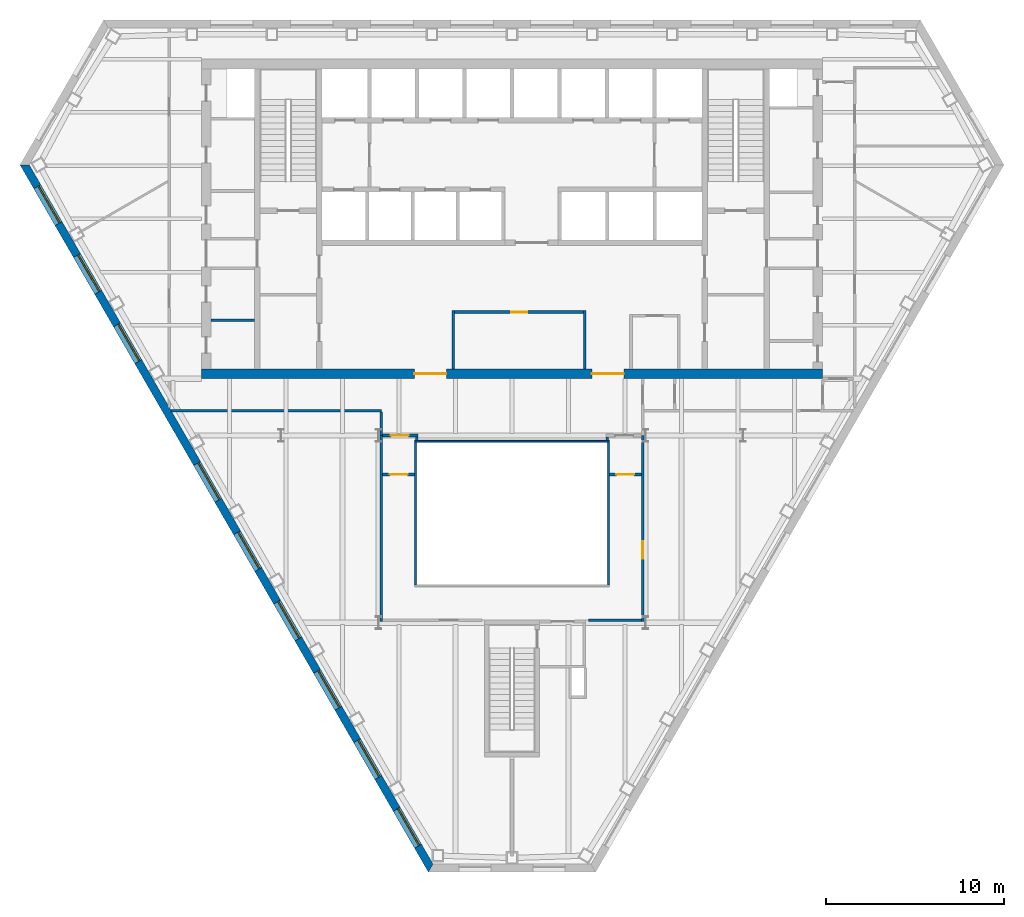
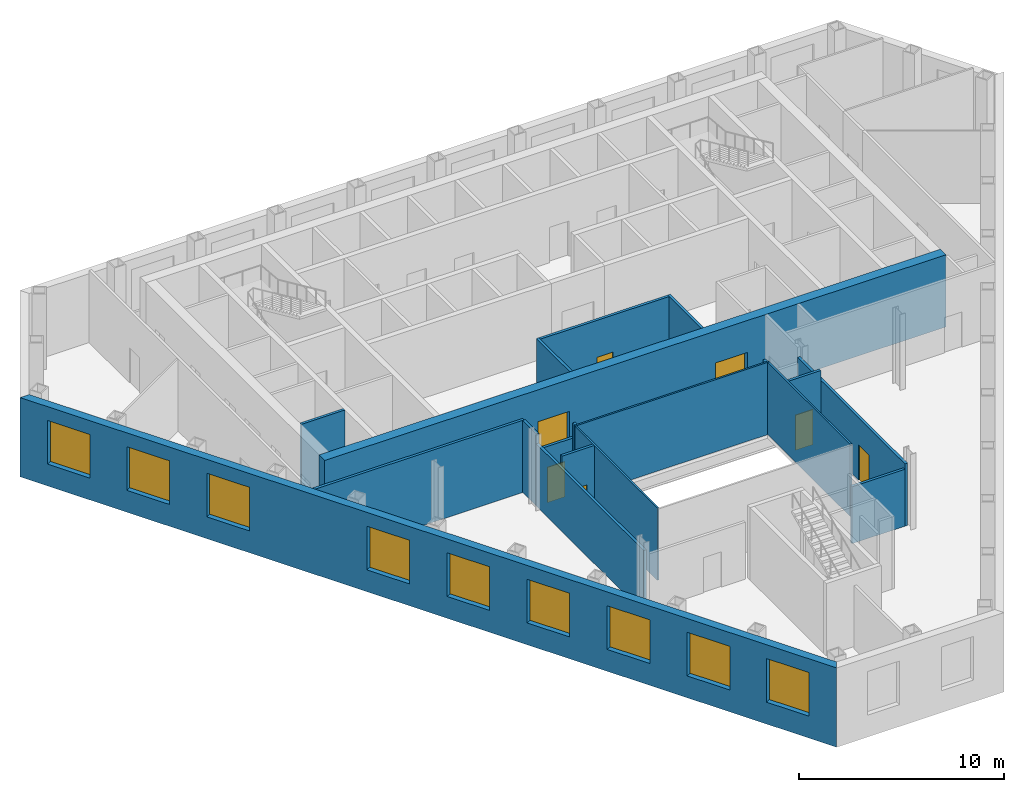
# One storey, part 4 of 11: 19 walls, 9 windows, 7 doors, 16 openings.
"""IFC4 building model written with IfcOpenShell, lengths in metres."""

from ifc_helpers import new_model, si_unit, direction, frame, frame_2d, origin, place, context, subcontext, project, spatial, polyline, rectangle, outline, extrude, material, layer, layer_set, type_object, element, fill, save


model = new_model("IFC4")

# Units and contexts
model_context = context("Model", 3, precision=1e-05, world=origin(), true_north=direction((0.0, 1.0)))
body_context = subcontext(model_context, "Body", "Model", "MODEL_VIEW")
ifc_project = project(units=[si_unit("LENGTHUNIT", "METRE"), si_unit("AREAUNIT", "SQUARE_METRE"), si_unit("VOLUMEUNIT", "CUBIC_METRE"), si_unit("PLANEANGLEUNIT", "RADIAN"), si_unit("MASSUNIT", "GRAM", prefix="KILO")], contexts=[model_context])

# Site, building, storey
site_placement = place(None, origin())
site = spatial("IfcSite", under=ifc_project, at=site_placement, CompositionType="ELEMENT")
building_placement = place(site_placement, origin())
building = spatial("IfcBuilding", under=site, at=building_placement, Name="Njiva Tower", CompositionType="ELEMENT")
storey_placement = place(building_placement, frame((0.0, 0.0, 129.3)))
storey = spatial("IfcBuildingStorey", under=building, at=storey_placement, Name="L27", CompositionType="ELEMENT", Elevation=129.3)

# Walls
ifc_material_1 = material(Name="Blockwork", Category="masonry")
ifc_layer_1 = layer(ifc_material_1, 0.15)
ifc_layer_set_1 = layer_set([ifc_layer_1], Name="Blockwork")
wall_type_1 = type_object("IfcWallType", Name="WT1 Compartment partition 150", PredefinedType="PARTITIONING", material=ifc_layer_set_1)
wall_1_placement = place(storey_placement, frame((-16.95, 3.2986, 0.0), z_axis=(0.0, 0.0, 1.0), x_axis=(1.0, 0.0, 0.0)))
element("IfcWall", 1, at=wall_1_placement, inside=storey, type_object=wall_type_1, Name="Partition strip W00", PredefinedType="PARTITIONING", context=body_context, shape_type="SweptSolid", body=[
    extrude(rectangle(XDim=2.45, YDim=0.15, at=frame_2d((1.225, 0.0))), origin(), (0.0, 0.0, 1.0), 4.3),
])
for number, where, z_axis, x_axis, name in (
    (2, (-3.3, 0.55, 0.0), (0.0, 0.0, 1.0), (0.0, 1.0, 0.0), "Information office wall west"),
    (3, (4.1, 0.55, 0.0), (0.0, 0.0, 1.0), (0.0, 1.0, 0.0), "Information office wall east"),
):
    element("IfcWall", number, at=place(storey_placement, frame(where, z_axis=z_axis, x_axis=x_axis)), inside=storey, type_object=wall_type_1, Name=name, PredefinedType="PARTITIONING", context=body_context, shape_type="SweptSolid", body=[
        extrude(rectangle(XDim=3.275, YDim=0.15, at=frame_2d((1.6375, 0.0))), origin(), (0.0, 0.0, 1.0), 4.3),
    ])

# Wall, opening, door
wall_2_placement = place(storey_placement, frame((-3.225, 3.75, 0.0), z_axis=(0.0, 0.0, 1.0), x_axis=(1.0, 0.0, 0.0)))
wall_2 = element("IfcWall", 4, at=wall_2_placement, inside=storey, type_object=wall_type_1, Name="Information office wall north", PredefinedType="PARTITIONING", context=body_context, shape_type="SweptSolid", body=[
    extrude(rectangle(XDim=7.25, YDim=0.15, at=frame_2d((3.625, 0.0))), origin(), (0.0, 0.0, 1.0), 4.3),
])
opening_1_placement = place(wall_2_placement, frame((3.175, 0.0, 0.0)))
opening_1 = element("IfcOpeningElement", 5, at=opening_1_placement, cuts=wall_2, Name="Opening S09-D934", PredefinedType="OPENING", context=body_context, shape_type="SweptSolid", body=[
    extrude(rectangle(XDim=0.9, YDim=2.1, at=frame_2d((0.45, 1.05))), frame((0.0, 0.085, 0.0), z_axis=(0.0, -1.0, 0.0), x_axis=(1.0, 0.0, 0.0)), (0.0, 0.0, 1.0), 0.17),
])
ifc_material_2 = material(Name="Steel fire door, painted", Category="steel")
door_type_1 = type_object("IfcDoorType", Name="D6 Fire-rated door 900x2100", OperationType="SINGLE_SWING_LEFT", PredefinedType="DOOR", material=ifc_material_2)
door_1_placement = place(opening_1_placement, origin())
door_1 = element("IfcDoor", 6, at=door_1_placement, inside=storey, type_object=door_type_1, Name="Information office door", OperationType="SINGLE_SWING_LEFT", OverallHeight=2.1, OverallWidth=0.9, PredefinedType="DOOR", context=body_context, shape_type="SweptSolid", body=[
    extrude(rectangle(XDim=0.9, YDim=2.1, at=frame_2d((0.45, 1.05))), frame((0.0, 0.025, 0.0), z_axis=(0.0, -1.0, 0.0), x_axis=(1.0, 0.0, 0.0)), (0.0, 0.0, 1.0), 0.05),
])
fill(opening_1, door_1)

# Wall, openings, doors
ifc_material_3 = material(Name="Concrete C60/75", Category="concrete")
ifc_layer_2 = layer(ifc_material_3, 0.55)
ifc_layer_set_2 = layer_set([ifc_layer_2], Name="Concrete C60/75")
wall_type_2 = type_object("IfcWallType", Name="WT14 Core wall 550", PredefinedType="SHEAR", material=ifc_layer_set_2)
wall_3_placement = place(storey_placement, frame((-17.5, 0.275, 0.0), z_axis=(0.0, 0.0, 1.0), x_axis=(1.0, 0.0, 0.0)))
wall_3 = element("IfcWall", 7, at=wall_3_placement, inside=storey, type_object=wall_type_2, Name="Core wall south", PredefinedType="SHEAR", context=body_context, shape_type="SweptSolid", body=[
    extrude(rectangle(XDim=35.0, YDim=0.55, at=frame_2d((17.5, 0.0))), origin(), (0.0, 0.0, 1.0), 4.3),
])
opening_2_placement = place(wall_3_placement, frame((12.0, 0.0, 0.0)))
opening_2 = element("IfcOpeningElement", 8, at=opening_2_placement, cuts=wall_3, Name="Opening S09-D937", PredefinedType="OPENING", context=body_context, shape_type="SweptSolid", body=[
    extrude(rectangle(XDim=1.8, YDim=2.4, at=frame_2d((0.9, 1.2))), frame((0.0, 0.285, 0.0), z_axis=(0.0, -1.0, 0.0), x_axis=(1.0, 0.0, 0.0)), (0.0, 0.0, 1.0), 0.57),
])
opening_3_placement = place(wall_3_placement, frame((22.0, 0.0, 0.0)))
opening_3 = element("IfcOpeningElement", 9, at=opening_3_placement, cuts=wall_3, Name="Opening S09-D938", PredefinedType="OPENING", context=body_context, shape_type="SweptSolid", body=[
    extrude(rectangle(XDim=1.8, YDim=2.4, at=frame_2d((0.9, 1.2))), frame((0.0, 0.285, 0.0), z_axis=(0.0, -1.0, 0.0), x_axis=(1.0, 0.0, 0.0)), (0.0, 0.0, 1.0), 0.57),
])
ifc_material_4 = material(Name="Steel and glass door", Category="steel")
door_type_2 = type_object("IfcDoorType", Name="D3 Core entrance door 1800x2400", OperationType="DOUBLE_DOOR_SINGLE_SWING", PredefinedType="DOOR", material=ifc_material_4)
door_2_placement = place(opening_2_placement, origin())
door_2 = element("IfcDoor", 10, at=door_2_placement, inside=storey, type_object=door_type_2, Name="Core entrance door", OperationType="DOUBLE_DOOR_SINGLE_SWING", OverallHeight=2.4, OverallWidth=1.8, PredefinedType="DOOR", context=body_context, shape_type="SweptSolid", body=[
    extrude(rectangle(XDim=1.8, YDim=2.4, at=frame_2d((0.9, 1.2))), frame((0.0, 0.025, 0.0), z_axis=(0.0, -1.0, 0.0), x_axis=(1.0, 0.0, 0.0)), (0.0, 0.0, 1.0), 0.05),
])
fill(opening_2, door_2)
door_3_placement = place(opening_3_placement, origin())
door_3 = element("IfcDoor", 11, at=door_3_placement, inside=storey, type_object=door_type_2, Name="Core entrance door", OperationType="DOUBLE_DOOR_SINGLE_SWING", OverallHeight=2.4, OverallWidth=1.8, PredefinedType="DOOR", context=body_context, shape_type="SweptSolid", body=[
    extrude(rectangle(XDim=1.8, YDim=2.4, at=frame_2d((0.9, 1.2))), frame((0.0, 0.025, 0.0), z_axis=(0.0, -1.0, 0.0), x_axis=(1.0, 0.0, 0.0)), (0.0, 0.0, 1.0), 0.05),
])
fill(opening_3, door_3)

# Walls
ifc_material_5 = material(Name="Gypsum board on steel studs", Category="gypsum")
ifc_layer_3 = layer(ifc_material_5, 0.15)
ifc_layer_set_3 = layer_set([ifc_layer_3], Name="Gypsum board on steel studs")
wall_type_3 = type_object("IfcWallType", Name="WT21 Compartment wall 150", PredefinedType="PARTITIONING", material=ifc_layer_set_3)
wall_4_placement = place(storey_placement, frame((-19.198, -1.8, 0.0), z_axis=(0.0, 0.0, 1.0), x_axis=(1.0, 0.0, 0.0)))
element("IfcWall", 12, at=wall_4_placement, inside=storey, type_object=wall_type_3, Name="Partition S09-P003", PredefinedType="PARTITIONING", context=body_context, shape_type="SweptSolid", body=[
    extrude(rectangle(XDim=11.838, YDim=0.15, at=frame_2d((5.919, 0.0))), origin(), (0.0, 0.0, 1.0), 4.3),
])
wall_5_placement = place(storey_placement, frame((-7.36, -13.675, 0.0), z_axis=(0.0, 0.0, 1.0), x_axis=(0.0, 1.0, 0.0)))
element("IfcWall", 13, at=wall_5_placement, inside=storey, type_object=wall_type_3, Name="Partition S09-P004", PredefinedType="PARTITIONING", context=body_context, shape_type="SweptSolid", body=[
    extrude(rectangle(XDim=10.475, YDim=0.15, at=frame_2d((5.2375, 0.0))), origin(), (0.0, 0.0, 1.0), 3.71),
])
wall_6_placement = place(storey_placement, frame((-7.36, -3.2, 0.0), z_axis=(0.0, 0.0, 1.0), x_axis=(0.0, 1.0, 0.0)))
element("IfcWall", 14, at=wall_6_placement, inside=storey, type_object=wall_type_3, Name="Partition S09-P004A", PredefinedType="PARTITIONING", context=body_context, shape_type="SweptSolid", body=[
    extrude(rectangle(XDim=1.325, YDim=0.15, at=frame_2d((0.6625, 0.0))), origin(), (0.0, 0.0, 1.0), 4.3),
])

# Wall, opening, door
wall_7_placement = place(storey_placement, frame((-7.285, -5.4, 0.0), z_axis=(0.0, 0.0, 1.0), x_axis=(1.0, 0.0, 0.0)))
wall_7 = element("IfcWall", 15, at=wall_7_placement, inside=storey, type_object=wall_type_3, Name="Partition S09-P006", PredefinedType="PARTITIONING", context=body_context, shape_type="SweptSolid", body=[
    extrude(rectangle(XDim=1.805, YDim=0.15, at=frame_2d((0.9025, 0.0))), origin(), (0.0, 0.0, 1.0), 4.3),
])
opening_4_placement = place(wall_7_placement, frame((0.402, 0.0, 0.0)))
opening_4 = element("IfcOpeningElement", 16, at=opening_4_placement, cuts=wall_7, Name="Opening S09-D004", PredefinedType="OPENING", context=body_context, shape_type="SweptSolid", body=[
    extrude(rectangle(XDim=1.0, YDim=2.1, at=frame_2d((0.5, 1.05))), frame((0.0, 0.085, 0.0), z_axis=(0.0, -1.0, 0.0), x_axis=(1.0, 0.0, 0.0)), (0.0, 0.0, 1.0), 0.17),
])
ifc_material_6 = material(Name="Steel fire door set", Category="steel")
door_type_3 = type_object("IfcDoorType", Name="D37 Fire door 1000x2100", OperationType="SINGLE_SWING_LEFT", PredefinedType="DOOR", material=ifc_material_6)
door_4_placement = place(opening_4_placement, origin())
door_4 = element("IfcDoor", 17, at=door_4_placement, inside=storey, type_object=door_type_3, Name="Door S09-D004", OperationType="SINGLE_SWING_RIGHT", OverallHeight=2.1, OverallWidth=1.0, PredefinedType="DOOR", context=body_context, shape_type="SweptSolid", body=[
    extrude(rectangle(XDim=1.0, YDim=2.1, at=frame_2d((0.5, 1.05))), frame((0.0, 0.025, 0.0), z_axis=(0.0, -1.0, 0.0), x_axis=(1.0, 0.0, 0.0)), (0.0, 0.0, 1.0), 0.05),
])
fill(opening_4, door_4)

wall_8_placement = place(storey_placement, frame((-7.285, -3.2, 0.0), z_axis=(0.0, 0.0, 1.0), x_axis=(1.0, 0.0, 0.0)))
wall_8 = element("IfcWall", 18, at=wall_8_placement, inside=storey, type_object=wall_type_3, Name="Partition S09-P007", PredefinedType="PARTITIONING", context=body_context, shape_type="SweptSolid", body=[
    extrude(rectangle(XDim=2.0, YDim=0.15, at=frame_2d((1.0, 0.0))), origin(), (0.0, 0.0, 1.0), 3.39),
])
opening_5_placement = place(wall_8_placement, frame((0.462, 0.0, 0.0)))
opening_5 = element("IfcOpeningElement", 19, at=opening_5_placement, cuts=wall_8, Name="Opening S09-D005", PredefinedType="OPENING", context=body_context, shape_type="SweptSolid", body=[
    extrude(rectangle(XDim=1.0, YDim=2.1, at=frame_2d((0.5, 1.05))), frame((0.0, 0.085, 0.0), z_axis=(0.0, -1.0, 0.0), x_axis=(1.0, 0.0, 0.0)), (0.0, 0.0, 1.0), 0.17),
])
door_5_placement = place(opening_5_placement, origin())
door_5 = element("IfcDoor", 20, at=door_5_placement, inside=storey, type_object=door_type_3, Name="Door S09-D005", OperationType="SINGLE_SWING_RIGHT", OverallHeight=2.1, OverallWidth=1.0, PredefinedType="DOOR", context=body_context, shape_type="SweptSolid", body=[
    extrude(rectangle(XDim=1.0, YDim=2.1, at=frame_2d((0.5, 1.05))), frame((0.0, 0.025, 0.0), z_axis=(0.0, -1.0, 0.0), x_axis=(1.0, 0.0, 0.0)), (0.0, 0.0, 1.0), 0.05),
])
fill(opening_5, door_5)

# Walls
wall_9_placement = place(storey_placement, frame((-5.36, -3.48, 0.0), z_axis=(0.0, 0.0, 1.0), x_axis=(0.0, 1.0, 0.0)))
element("IfcWall", 21, at=wall_9_placement, inside=storey, type_object=wall_type_3, Name="Partition S09-P008", PredefinedType="PARTITIONING", context=body_context, shape_type="SweptSolid", body=[
    extrude(rectangle(XDim=0.205, YDim=0.15, at=frame_2d((0.1025, 0.0))), origin(), (0.0, 0.0, 1.0), 4.3),
])
wall_10_placement = place(storey_placement, frame((4.3, -13.6, 0.0), z_axis=(0.0, 0.0, 1.0), x_axis=(1.0, 0.0, 0.0)))
element("IfcWall", 22, at=wall_10_placement, inside=storey, type_object=wall_type_3, Name="Partition S09-P010", PredefinedType="PARTITIONING", context=body_context, shape_type="SweptSolid", body=[
    extrude(rectangle(XDim=2.985, YDim=0.15, at=frame_2d((1.4925, 0.0))), origin(), (0.0, 0.0, 1.0), 3.39),
])
wall_11_placement = place(storey_placement, frame((5.36, -3.48, 0.0), z_axis=(0.0, 0.0, 1.0), x_axis=(0.0, 1.0, 0.0)))
element("IfcWall", 23, at=wall_11_placement, inside=storey, type_object=wall_type_3, Name="Partition S09-P012", PredefinedType="PARTITIONING", context=body_context, shape_type="SweptSolid", body=[
    extrude(rectangle(XDim=0.205, YDim=0.15, at=frame_2d((0.1025, 0.0))), origin(), (0.0, 0.0, 1.0), 4.3),
])

# Wall, opening, door
wall_12_placement = place(storey_placement, frame((5.48, -5.4, 0.0), z_axis=(0.0, 0.0, 1.0), x_axis=(1.0, 0.0, 0.0)))
wall_12 = element("IfcWall", 24, at=wall_12_placement, inside=storey, type_object=wall_type_3, Name="Partition S09-P013", PredefinedType="PARTITIONING", context=body_context, shape_type="SweptSolid", body=[
    extrude(rectangle(XDim=1.805, YDim=0.15, at=frame_2d((0.9025, 0.0))), origin(), (0.0, 0.0, 1.0), 4.3),
])
opening_6_placement = place(wall_12_placement, frame((0.402, 0.0, 0.0)))
opening_6 = element("IfcOpeningElement", 25, at=opening_6_placement, cuts=wall_12, Name="Opening S09-D007", PredefinedType="OPENING", context=body_context, shape_type="SweptSolid", body=[
    extrude(rectangle(XDim=1.0, YDim=2.1, at=frame_2d((0.5, 1.05))), frame((0.0, 0.085, 0.0), z_axis=(0.0, -1.0, 0.0), x_axis=(1.0, 0.0, 0.0)), (0.0, 0.0, 1.0), 0.17),
])
door_6_placement = place(opening_6_placement, origin())
door_6 = element("IfcDoor", 26, at=door_6_placement, inside=storey, type_object=door_type_3, Name="Door S09-D007", OperationType="SINGLE_SWING_RIGHT", OverallHeight=2.1, OverallWidth=1.0, PredefinedType="DOOR", context=body_context, shape_type="SweptSolid", body=[
    extrude(rectangle(XDim=1.0, YDim=2.1, at=frame_2d((0.5, 1.05))), frame((0.0, 0.025, 0.0), z_axis=(0.0, -1.0, 0.0), x_axis=(1.0, 0.0, 0.0)), (0.0, 0.0, 1.0), 0.05),
])
fill(opening_6, door_6)

wall_13_placement = place(storey_placement, frame((7.36, -13.675, 0.0), z_axis=(0.0, 0.0, 1.0), x_axis=(0.0, 1.0, 0.0)))
wall_13 = element("IfcWall", 27, at=wall_13_placement, inside=storey, type_object=wall_type_3, Name="Partition S09-P014", PredefinedType="PARTITIONING", context=body_context, shape_type="SweptSolid", body=[
    extrude(rectangle(XDim=10.475, YDim=0.15, at=frame_2d((5.2375, 0.0))), origin(), (0.0, 0.0, 1.0), 3.71),
])
opening_7_placement = place(wall_13_placement, frame((3.531, 0.0, 0.0)))
opening_7 = element("IfcOpeningElement", 28, at=opening_7_placement, cuts=wall_13, Name="Opening S09-D008", PredefinedType="OPENING", context=body_context, shape_type="SweptSolid", body=[
    extrude(rectangle(XDim=1.0, YDim=2.1, at=frame_2d((0.5, 1.05))), frame((0.0, 0.085, 0.0), z_axis=(0.0, -1.0, 0.0), x_axis=(1.0, 0.0, 0.0)), (0.0, 0.0, 1.0), 0.17),
])
door_7_placement = place(opening_7_placement, origin())
door_7 = element("IfcDoor", 29, at=door_7_placement, inside=storey, type_object=door_type_3, Name="Door S09-D008", OperationType="SINGLE_SWING_RIGHT", OverallHeight=2.1, OverallWidth=1.0, PredefinedType="DOOR", context=body_context, shape_type="SweptSolid", body=[
    extrude(rectangle(XDim=1.0, YDim=2.1, at=frame_2d((0.5, 1.05))), frame((0.0, 0.025, 0.0), z_axis=(0.0, -1.0, 0.0), x_axis=(1.0, 0.0, 0.0)), (0.0, 0.0, 1.0), 0.05),
])
fill(opening_7, door_7)

# Wall, openings, windows
ifc_material_7 = material(Name="Brick masonry", Category="masonry")
ifc_layer_4 = layer(ifc_material_7, 0.45)
ifc_layer_set_4 = layer_set([ifc_layer_4], Name="Brick masonry")
wall_type_4 = type_object("IfcWallType", Name="WT90 Brick pier and spandrel wall 450", PredefinedType="SOLIDWALL", material=ifc_layer_set_4)
wall_14_placement = place(storey_placement, frame((-27.4502, 12.042, -0.4), z_axis=(0.0, 0.0, 1.0), x_axis=(0.500000711659, -0.866024992908, 0.0)))
wall_14 = element("IfcWall", 30, at=wall_14_placement, inside=storey, type_object=wall_type_4, Name="Facade wall SW", PredefinedType="SOLIDWALL", context=body_context, shape_type="SweptSolid", body=[
    extrude(outline(polyline([(-0.1299, -0.225), (45.87, -0.225), (45.6102, 0.225), (0.1299, 0.225), (-0.1299, -0.225)])), origin(), (0.0, 0.0, 1.0), 4.72),
])
opening_8_placement = place(wall_14_placement, frame((1.4242, 0.0, 1.3)))
opening_8 = element("IfcOpeningElement", 31, at=opening_8_placement, cuts=wall_14, Name="Opening S09-W12", PredefinedType="OPENING", context=body_context, shape_type="SweptSolid", body=[
    extrude(rectangle(XDim=2.4, YDim=2.6, at=frame_2d((1.2, 1.3))), frame((0.0, 0.235, 0.0), z_axis=(0.0, -1.0, 0.0), x_axis=(1.0, 0.0, 0.0)), (0.0, 0.0, 1.0), 0.47),
])
opening_9_placement = place(wall_14_placement, frame((5.8934, 0.0, 1.3)))
opening_9 = element("IfcOpeningElement", 32, at=opening_9_placement, cuts=wall_14, Name="Opening S09-W13", PredefinedType="OPENING", context=body_context, shape_type="SweptSolid", body=[
    extrude(rectangle(XDim=2.4, YDim=2.6, at=frame_2d((1.2, 1.3))), frame((0.0, 0.235, 0.0), z_axis=(0.0, -1.0, 0.0), x_axis=(1.0, 0.0, 0.0)), (0.0, 0.0, 1.0), 0.47),
])
opening_10_placement = place(wall_14_placement, frame((10.401, 0.0, 1.3)))
opening_10 = element("IfcOpeningElement", 33, at=opening_10_placement, cuts=wall_14, Name="Opening S09-W14", PredefinedType="OPENING", context=body_context, shape_type="SweptSolid", body=[
    extrude(rectangle(XDim=2.4, YDim=2.6, at=frame_2d((1.2, 1.3))), frame((0.0, 0.235, 0.0), z_axis=(0.0, -1.0, 0.0), x_axis=(1.0, 0.0, 0.0)), (0.0, 0.0, 1.0), 0.47),
])
opening_11_placement = place(wall_14_placement, frame((19.4163, 0.0, 1.3)))
opening_11 = element("IfcOpeningElement", 34, at=opening_11_placement, cuts=wall_14, Name="Opening S09-W15", PredefinedType="OPENING", context=body_context, shape_type="SweptSolid", body=[
    extrude(rectangle(XDim=2.4, YDim=2.6, at=frame_2d((1.2, 1.3))), frame((0.0, 0.235, 0.0), z_axis=(0.0, -1.0, 0.0), x_axis=(1.0, 0.0, 0.0)), (0.0, 0.0, 1.0), 0.47),
])
opening_12_placement = place(wall_14_placement, frame((23.9239, 0.0, 1.3)))
opening_12 = element("IfcOpeningElement", 35, at=opening_12_placement, cuts=wall_14, Name="Opening S09-W16", PredefinedType="OPENING", context=body_context, shape_type="SweptSolid", body=[
    extrude(rectangle(XDim=2.4, YDim=2.6, at=frame_2d((1.2, 1.3))), frame((0.0, 0.235, 0.0), z_axis=(0.0, -1.0, 0.0), x_axis=(1.0, 0.0, 0.0)), (0.0, 0.0, 1.0), 0.47),
])
opening_13_placement = place(wall_14_placement, frame((28.4315, 0.0, 1.3)))
opening_13 = element("IfcOpeningElement", 36, at=opening_13_placement, cuts=wall_14, Name="Opening S09-W17", PredefinedType="OPENING", context=body_context, shape_type="SweptSolid", body=[
    extrude(rectangle(XDim=2.4, YDim=2.6, at=frame_2d((1.2, 1.3))), frame((0.0, 0.235, 0.0), z_axis=(0.0, -1.0, 0.0), x_axis=(1.0, 0.0, 0.0)), (0.0, 0.0, 1.0), 0.47),
])
opening_14_placement = place(wall_14_placement, frame((32.9391, 0.0, 1.3)))
opening_14 = element("IfcOpeningElement", 37, at=opening_14_placement, cuts=wall_14, Name="Opening S09-W18", PredefinedType="OPENING", context=body_context, shape_type="SweptSolid", body=[
    extrude(rectangle(XDim=2.4, YDim=2.6, at=frame_2d((1.2, 1.3))), frame((0.0, 0.235, 0.0), z_axis=(0.0, -1.0, 0.0), x_axis=(1.0, 0.0, 0.0)), (0.0, 0.0, 1.0), 0.47),
])
opening_15_placement = place(wall_14_placement, frame((37.4468, 0.0, 1.3)))
opening_15 = element("IfcOpeningElement", 38, at=opening_15_placement, cuts=wall_14, Name="Opening S09-W19", PredefinedType="OPENING", context=body_context, shape_type="SweptSolid", body=[
    extrude(rectangle(XDim=2.4, YDim=2.6, at=frame_2d((1.2, 1.3))), frame((0.0, 0.235, 0.0), z_axis=(0.0, -1.0, 0.0), x_axis=(1.0, 0.0, 0.0)), (0.0, 0.0, 1.0), 0.47),
])
opening_16_placement = place(wall_14_placement, frame((41.916, 0.0, 1.3)))
opening_16 = element("IfcOpeningElement", 39, at=opening_16_placement, cuts=wall_14, Name="Opening S09-W20", PredefinedType="OPENING", context=body_context, shape_type="SweptSolid", body=[
    extrude(rectangle(XDim=2.4, YDim=2.6, at=frame_2d((1.2, 1.3))), frame((0.0, 0.235, 0.0), z_axis=(0.0, -1.0, 0.0), x_axis=(1.0, 0.0, 0.0)), (0.0, 0.0, 1.0), 0.47),
])
ifc_material_8 = material(Name="Clear glazing in aluminium frame", Category="aluminium")
window_type = type_object("IfcWindowType", Name="W92 Deep-set window 2400x2600", PartitioningType="SINGLE_PANEL", PredefinedType="WINDOW", material=ifc_material_8)
window_1_placement = place(opening_8_placement, origin())
window_1 = element("IfcWindow", 40, at=window_1_placement, inside=storey, type_object=window_type, Name="Window", OverallHeight=2.6, OverallWidth=2.4, PartitioningType="SINGLE_PANEL", PredefinedType="WINDOW", context=body_context, shape_type="SweptSolid", body=[
    extrude(rectangle(XDim=2.4, YDim=2.6, at=frame_2d((1.2, 1.3))), frame((0.0, 0.105, 0.0), z_axis=(0.0, -1.0, 0.0), x_axis=(1.0, 0.0, 0.0)), (0.0, 0.0, 1.0), 0.06),
])
fill(opening_8, window_1)
window_2_placement = place(opening_9_placement, origin())
window_2 = element("IfcWindow", 41, at=window_2_placement, inside=storey, type_object=window_type, Name="Window", OverallHeight=2.6, OverallWidth=2.4, PartitioningType="SINGLE_PANEL", PredefinedType="WINDOW", context=body_context, shape_type="SweptSolid", body=[
    extrude(rectangle(XDim=2.4, YDim=2.6, at=frame_2d((1.2, 1.3))), frame((0.0, 0.105, 0.0), z_axis=(0.0, -1.0, 0.0), x_axis=(1.0, 0.0, 0.0)), (0.0, 0.0, 1.0), 0.06),
])
fill(opening_9, window_2)
window_3_placement = place(opening_10_placement, origin())
window_3 = element("IfcWindow", 42, at=window_3_placement, inside=storey, type_object=window_type, Name="Window", OverallHeight=2.6, OverallWidth=2.4, PartitioningType="SINGLE_PANEL", PredefinedType="WINDOW", context=body_context, shape_type="SweptSolid", body=[
    extrude(rectangle(XDim=2.4, YDim=2.6, at=frame_2d((1.2, 1.3))), frame((0.0, 0.105, 0.0), z_axis=(0.0, -1.0, 0.0), x_axis=(1.0, 0.0, 0.0)), (0.0, 0.0, 1.0), 0.06),
])
fill(opening_10, window_3)
window_4_placement = place(opening_11_placement, origin())
window_4 = element("IfcWindow", 43, at=window_4_placement, inside=storey, type_object=window_type, Name="Window", OverallHeight=2.6, OverallWidth=2.4, PartitioningType="SINGLE_PANEL", PredefinedType="WINDOW", context=body_context, shape_type="SweptSolid", body=[
    extrude(rectangle(XDim=2.4, YDim=2.6, at=frame_2d((1.2, 1.3))), frame((0.0, 0.105, 0.0), z_axis=(0.0, -1.0, 0.0), x_axis=(1.0, 0.0, 0.0)), (0.0, 0.0, 1.0), 0.06),
])
fill(opening_11, window_4)
window_5_placement = place(opening_12_placement, origin())
window_5 = element("IfcWindow", 44, at=window_5_placement, inside=storey, type_object=window_type, Name="Window", OverallHeight=2.6, OverallWidth=2.4, PartitioningType="SINGLE_PANEL", PredefinedType="WINDOW", context=body_context, shape_type="SweptSolid", body=[
    extrude(rectangle(XDim=2.4, YDim=2.6, at=frame_2d((1.2, 1.3))), frame((0.0, 0.105, 0.0), z_axis=(0.0, -1.0, 0.0), x_axis=(1.0, 0.0, 0.0)), (0.0, 0.0, 1.0), 0.06),
])
fill(opening_12, window_5)
window_6_placement = place(opening_13_placement, origin())
window_6 = element("IfcWindow", 45, at=window_6_placement, inside=storey, type_object=window_type, Name="Window", OverallHeight=2.6, OverallWidth=2.4, PartitioningType="SINGLE_PANEL", PredefinedType="WINDOW", context=body_context, shape_type="SweptSolid", body=[
    extrude(rectangle(XDim=2.4, YDim=2.6, at=frame_2d((1.2, 1.3))), frame((0.0, 0.105, 0.0), z_axis=(0.0, -1.0, 0.0), x_axis=(1.0, 0.0, 0.0)), (0.0, 0.0, 1.0), 0.06),
])
fill(opening_13, window_6)
window_7_placement = place(opening_14_placement, origin())
window_7 = element("IfcWindow", 46, at=window_7_placement, inside=storey, type_object=window_type, Name="Window", OverallHeight=2.6, OverallWidth=2.4, PartitioningType="SINGLE_PANEL", PredefinedType="WINDOW", context=body_context, shape_type="SweptSolid", body=[
    extrude(rectangle(XDim=2.4, YDim=2.6, at=frame_2d((1.2, 1.3))), frame((0.0, 0.105, 0.0), z_axis=(0.0, -1.0, 0.0), x_axis=(1.0, 0.0, 0.0)), (0.0, 0.0, 1.0), 0.06),
])
fill(opening_14, window_7)
window_8_placement = place(opening_15_placement, origin())
window_8 = element("IfcWindow", 47, at=window_8_placement, inside=storey, type_object=window_type, Name="Window", OverallHeight=2.6, OverallWidth=2.4, PartitioningType="SINGLE_PANEL", PredefinedType="WINDOW", context=body_context, shape_type="SweptSolid", body=[
    extrude(rectangle(XDim=2.4, YDim=2.6, at=frame_2d((1.2, 1.3))), frame((0.0, 0.105, 0.0), z_axis=(0.0, -1.0, 0.0), x_axis=(1.0, 0.0, 0.0)), (0.0, 0.0, 1.0), 0.06),
])
fill(opening_15, window_8)
window_9_placement = place(opening_16_placement, origin())
window_9 = element("IfcWindow", 48, at=window_9_placement, inside=storey, type_object=window_type, Name="Window", OverallHeight=2.6, OverallWidth=2.4, PartitioningType="SINGLE_PANEL", PredefinedType="WINDOW", context=body_context, shape_type="SweptSolid", body=[
    extrude(rectangle(XDim=2.4, YDim=2.6, at=frame_2d((1.2, 1.3))), frame((0.0, 0.105, 0.0), z_axis=(0.0, -1.0, 0.0), x_axis=(1.0, 0.0, 0.0)), (0.0, 0.0, 1.0), 0.06),
])
fill(opening_16, window_9)

# Walls
ifc_material_9 = material(Name="Fire-resisting glazing EI 90", Category="glass")
ifc_layer_5 = layer(ifc_material_9, 0.1)
ifc_layer_set_5 = layer_set([ifc_layer_5], Name="Fire-resisting glazing EI 90")
wall_type_5 = type_object("IfcWallType", Name="WT95 Fire-resisting glazed screen EI 90", PredefinedType="PARTITIONING", material=ifc_layer_set_5)
wall_15_placement = place(storey_placement, frame((5.43, -11.62, 0.0), z_axis=(0.0, 0.0, 1.0), x_axis=(0.0, 1.0, 0.0)))
element("IfcWall", 49, at=wall_15_placement, inside=storey, type_object=wall_type_5, Name="Atrium fire screen east", PredefinedType="PARTITIONING", context=body_context, shape_type="SweptSolid", body=[
    extrude(rectangle(XDim=8.04, YDim=0.1, at=frame_2d((4.02, 0.0))), origin(), (0.0, 0.0, 1.0), 4.3),
])
wall_16_placement = place(storey_placement, frame((5.48, -3.53, 0.0), z_axis=(0.0, 0.0, 1.0), x_axis=(-1.0, 0.0, 0.0)))
element("IfcWall", 50, at=wall_16_placement, inside=storey, type_object=wall_type_5, Name="Atrium fire screen north", PredefinedType="PARTITIONING", context=body_context, shape_type="SweptSolid", body=[
    extrude(rectangle(XDim=10.96, YDim=0.1, at=frame_2d((5.48, 0.0))), origin(), (0.0, 0.0, 1.0), 4.3),
])
wall_17_placement = place(storey_placement, frame((-5.43, -3.58, 0.0), z_axis=(0.0, 0.0, 1.0), x_axis=(0.0, -1.0, 0.0)))
element("IfcWall", 51, at=wall_17_placement, inside=storey, type_object=wall_type_5, Name="Atrium fire screen west", PredefinedType="PARTITIONING", context=body_context, shape_type="SweptSolid", body=[
    extrude(rectangle(XDim=8.04, YDim=0.1, at=frame_2d((4.02, 0.0))), origin(), (0.0, 0.0, 1.0), 4.3),
])

save(model, "model.ifc")
